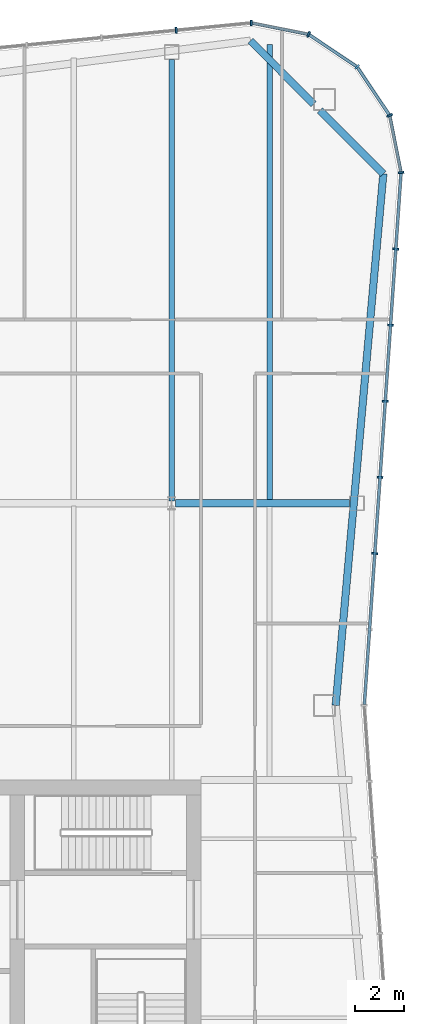
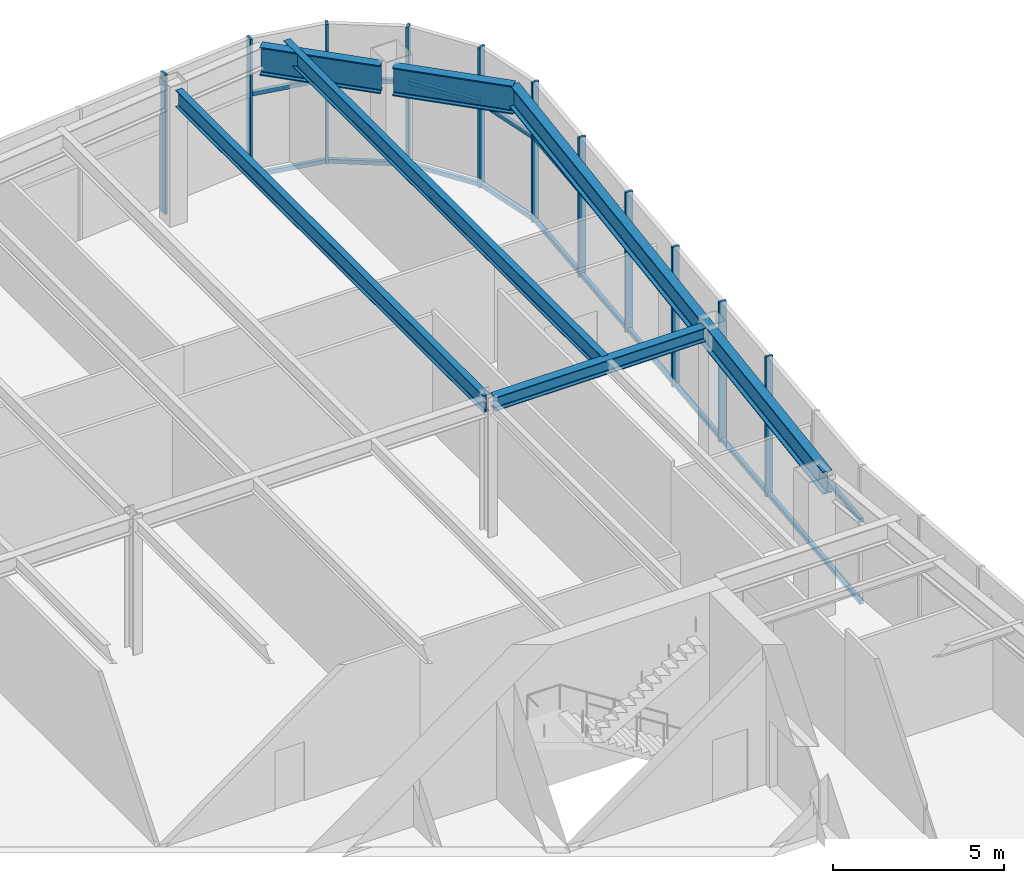
# One storey, part 7 of 13: 21 members, 6 beams, 3 elements without a shape of their own.
"""IFC4 building model written with IfcOpenShell, lengths in metres."""

from ifc_helpers import new_model, si_unit, direction, frame, origin, origin_2d, place, context, subcontext, project, spatial, rectangle, i_section, extrude, material, material_profile, profile_set, type_object, element, aggregate, save


model = new_model("IFC4")

# Units and contexts
model_context = context("Model", 3, precision=1e-05, world=origin(), true_north=direction((0.0, 1.0)))
body_context = subcontext(model_context, "Body", "Model", "MODEL_VIEW")
ifc_project = project(units=[si_unit("LENGTHUNIT", "METRE"), si_unit("AREAUNIT", "SQUARE_METRE"), si_unit("VOLUMEUNIT", "CUBIC_METRE"), si_unit("PLANEANGLEUNIT", "RADIAN"), si_unit("MASSUNIT", "GRAM", prefix="KILO")], contexts=[model_context])

# Site, building, storey
site_placement = place(None, origin())
site = spatial("IfcSite", under=ifc_project, at=site_placement, CompositionType="ELEMENT")
building_placement = place(site_placement, origin())
building = spatial("IfcBuilding", under=site, at=building_placement, Name="Verdant Reach Tower", CompositionType="ELEMENT")
storey_placement = place(building_placement, frame((0.0, 0.0, 349.5)))
storey = spatial("IfcBuildingStorey", under=building, at=storey_placement, Name="L79 Plant", CompositionType="ELEMENT", Elevation=349.5)

# Curtain wall, members
ifc_material_1 = material(Name="Anodised aluminium", Category="aluminium")
curtain_wall_type = type_object("IfcCurtainWallType", Name="EN-CW SYSTEM PLANT", PredefinedType="NOTDEFINED", material=ifc_material_1)
curtain_wall_1_placement = place(storey_placement, origin())
curtain_wall_1 = element("IfcCurtainWall", 1, at=curtain_wall_1_placement, inside=storey, type_object=curtain_wall_type, Name="Curtain wall east, L79", PredefinedType="NOTDEFINED")
ifc_material_profile_1 = material_profile(ifc_material_1, rectangle(XDim=0.238037109375, YDim=0.080078125, at=origin_2d()), Name="Mullion 80x240")
ifc_profile_set_1 = profile_set([ifc_material_profile_1], Name="Anodised aluminium")
member_type_1 = type_object("IfcMemberType", Name="EN-MULLION PLANT", PredefinedType="MULLION", material=ifc_profile_set_1)
member_1_placement = place(storey_placement, frame((20.29736328125, 47.4560546875, -0.35009765625), z_axis=(0.0, 0.0, 1.0), x_axis=(0.997630328423, -0.068802091615, 0.0)))
member_1 = element("IfcMember", 2, at=member_1_placement, type_object=member_type_1, Name="Mullion east face part 2 3, L79", PredefinedType="MULLION", context=body_context, shape_type="SweptSolid", body=[
    extrude(rectangle(XDim=0.238037109375, YDim=0.080078125, at=origin_2d()), origin(), (0.0, 0.0, 1.0), 5.0),
])
member_2_placement = place(storey_placement, frame((20.511474609375, 50.563232421875, -0.35009765625), z_axis=(0.0, 0.0, 1.0), x_axis=(0.997630328423, -0.068802091615, 0.0)))
member_2 = element("IfcMember", 3, at=member_2_placement, type_object=member_type_1, Name="Mullion east face part 2 4, L79", PredefinedType="MULLION", context=body_context, shape_type="SweptSolid", body=[
    extrude(rectangle(XDim=0.238037109375, YDim=0.080078125, at=origin_2d()), origin(), (0.0, 0.0, 1.0), 5.0),
])
member_3_placement = place(storey_placement, frame((20.725830078125, 53.67041015625, -0.35009765625), z_axis=(0.0, 0.0, 1.0), x_axis=(0.997630328423, -0.068802091615, 0.0)))
member_3 = element("IfcMember", 4, at=member_3_placement, type_object=member_type_1, Name="Mullion east face part 2 5, L79", PredefinedType="MULLION", context=body_context, shape_type="SweptSolid", body=[
    extrude(rectangle(XDim=0.238037109375, YDim=0.080078125, at=origin_2d()), origin(), (0.0, 0.0, 1.0), 5.0),
])
member_4_placement = place(storey_placement, frame((20.940185546875, 56.777587890625, -0.35009765625), z_axis=(0.0, 0.0, 1.0), x_axis=(0.997630328423, -0.068802091615, 0.0)))
member_4 = element("IfcMember", 5, at=member_4_placement, type_object=member_type_1, Name="Mullion east face part 2 6, L79", PredefinedType="MULLION", context=body_context, shape_type="SweptSolid", body=[
    extrude(rectangle(XDim=0.238037109375, YDim=0.080078125, at=origin_2d()), origin(), (0.0, 0.0, 1.0), 5.0),
])
member_5_placement = place(storey_placement, frame((21.154541015625, 59.884765625, -0.35009765625), z_axis=(0.0, 0.0, 1.0), x_axis=(0.997630328423, -0.068802091615, 0.0)))
member_5 = element("IfcMember", 6, at=member_5_placement, type_object=member_type_1, Name="Mullion east face part 2 7, L79", PredefinedType="MULLION", context=body_context, shape_type="SweptSolid", body=[
    extrude(rectangle(XDim=0.238037109375, YDim=0.080078125, at=origin_2d()), origin(), (0.0, 0.0, 1.0), 5.0),
])

curtain_wall_2_placement = place(storey_placement, origin())
curtain_wall_2 = element("IfcCurtainWall", 7, at=curtain_wall_2_placement, inside=storey, type_object=curtain_wall_type, Name="Curtain wall north-east corner, L79", PredefinedType="NOTDEFINED")
member_6_placement = place(storey_placement, frame((21.36865234375, 63.007568359375, -0.35009765625), z_axis=(0.0, 0.0, 1.0), x_axis=(0.997969180898, 0.063698618332, 0.0)))
member_6 = element("IfcMember", 8, at=member_6_placement, type_object=member_type_1, Name="Mullion north-east corner 1, L79", PredefinedType="MULLION", context=body_context, shape_type="SweptSolid", body=[
    extrude(rectangle(XDim=0.238037109375, YDim=0.080078125, at=origin_2d()), origin(), (0.0, 0.0, 1.0), 5.0),
])
member_7_placement = place(storey_placement, frame((20.9033203125, 65.341552734375, -0.35009765625), z_axis=(0.0, 0.0, 1.0), x_axis=(0.923875215753, 0.382693853776, 0.0)))
member_7 = element("IfcMember", 9, at=member_7_placement, type_object=member_type_1, Name="Mullion north-east corner 2, L79", PredefinedType="MULLION", context=body_context, shape_type="SweptSolid", body=[
    extrude(rectangle(XDim=0.238037109375, YDim=0.080078125, at=origin_2d()), origin(), (0.0, 0.0, 1.0), 5.0),
])
member_8_placement = place(storey_placement, frame((19.57666015625, 67.32666015625, -0.35009765625), z_axis=(0.0, 0.0, 1.0), x_axis=(0.707106781187, 0.707106781187, 0.0)))
member_8 = element("IfcMember", 10, at=member_8_placement, type_object=member_type_1, Name="Mullion north-east corner 3, L79", PredefinedType="MULLION", context=body_context, shape_type="SweptSolid", body=[
    extrude(rectangle(XDim=0.238037109375, YDim=0.080078125, at=origin_2d()), origin(), (0.0, 0.0, 1.0), 5.0),
])
member_9_placement = place(storey_placement, frame((17.591552734375, 68.6533203125, -0.35009765625), z_axis=(0.0, 0.0, 1.0), x_axis=(0.382693853776, 0.923875215753, 0.0)))
member_9 = element("IfcMember", 11, at=member_9_placement, type_object=member_type_1, Name="Mullion north-east corner 4, L79", PredefinedType="MULLION", context=body_context, shape_type="SweptSolid", body=[
    extrude(rectangle(XDim=0.238037109375, YDim=0.080078125, at=origin_2d()), origin(), (0.0, 0.0, 1.0), 5.0),
])

curtain_wall_3_placement = place(storey_placement, origin())
curtain_wall_3 = element("IfcCurtainWall", 12, at=curtain_wall_3_placement, inside=storey, type_object=curtain_wall_type, Name="Curtain wall north, L79", PredefinedType="NOTDEFINED")
member_10_placement = place(storey_placement, frame((15.255859375, 69.118896484375, -0.35009765625), z_axis=(0.0, 0.0, 1.0), x_axis=(0.049127596288, 0.998792510626, 0.0)))
member_10 = element("IfcMember", 13, at=member_10_placement, type_object=member_type_1, Name="Mullion north face part 1 1, L79", PredefinedType="MULLION", context=body_context, shape_type="SweptSolid", body=[
    extrude(rectangle(XDim=0.238037109375, YDim=0.080078125, at=origin_2d()), origin(), (0.0, 0.0, 1.0), 5.0),
])
member_11_placement = place(storey_placement, frame((12.188232421875, 68.818359375, -0.35009765625), z_axis=(0.0, 0.0, 1.0), x_axis=(-0.09788826992, 0.995197410875, 0.0)))
member_11 = element("IfcMember", 14, at=member_11_placement, type_object=member_type_1, Name="Mullion north face part 1 2, L79", PredefinedType="MULLION", context=body_context, shape_type="SweptSolid", body=[
    extrude(rectangle(XDim=0.238037109375, YDim=0.080078125, at=origin_2d()), origin(), (0.0, 0.0, 1.0), 5.0),
])
aggregate(curtain_wall_3, [member_10, member_11])

# Member
ifc_material_profile_2 = material_profile(ifc_material_1, rectangle(XDim=0.1201171875, YDim=0.14990234375, at=origin_2d()), Name="Transom 150x120")
ifc_profile_set_2 = profile_set([ifc_material_profile_2], Name="Anodised aluminium")
member_type_2 = type_object("IfcMemberType", Name="EN-TRANSOM PLANT", PredefinedType="USERDEFINED", material=ifc_profile_set_2)
member_12_placement = place(storey_placement, frame((19.871826171875, 41.289794921875, -0.27490234375), z_axis=(0.068761218296, 0.997633146431, 0.0), x_axis=(-0.997633146431, 0.068761218296, 0.0)))
member_12 = element("IfcMember", 15, at=member_12_placement, type_object=member_type_2, Name="Transom east face part 2 1.1, L79", ObjectType="TRANSOM", PredefinedType="USERDEFINED", context=body_context, shape_type="SweptSolid", body=[
    extrude(rectangle(XDim=0.1201171875, YDim=0.14990234375, at=origin_2d()), origin(), (0.0, 0.0, 1.0), 21.7294921875),
])

member_13_placement = place(storey_placement, frame((19.871826171875, 41.289794921875, 2.64990234375), z_axis=(0.068761218296, 0.997633146431, 0.0), x_axis=(-0.997633146431, 0.068761218296, 0.0)))
member_13 = element("IfcMember", 16, at=member_13_placement, type_object=member_type_2, Name="Transom east face part 2 1.2, L79", ObjectType="TRANSOM", PredefinedType="USERDEFINED", context=body_context, shape_type="SweptSolid", body=[
    extrude(rectangle(XDim=0.1201171875, YDim=0.14990234375, at=origin_2d()), origin(), (0.0, 0.0, 1.0), 21.7294921875),
])

aggregate(curtain_wall_1, [member_1, member_2, member_3, member_4, member_5, member_12, member_13])

member_14_placement = place(storey_placement, frame((21.36083984375, 63.046875, -0.27490234375), z_axis=(-0.195524121666, 0.980698892549, 0.0), x_axis=(-0.980698892549, -0.195524121666, 0.0)))
member_14 = element("IfcMember", 17, at=member_14_placement, type_object=member_type_2, Name="Transom north-east corner 1.1, L79", ObjectType="TRANSOM", PredefinedType="USERDEFINED", context=body_context, shape_type="SweptSolid", body=[
    extrude(rectangle(XDim=0.1201171875, YDim=0.14990234375, at=origin_2d()), origin(), (0.0, 0.0, 1.0), 2.300048828125),
])

member_15_placement = place(storey_placement, frame((20.881103515625, 65.375, -0.27490234375), z_axis=(-0.5556764556, 0.831398626828, 0.0), x_axis=(-0.831398626828, -0.5556764556, 0.0)))
member_15 = element("IfcMember", 18, at=member_15_placement, type_object=member_type_2, Name="Transom north-east corner 2.1, L79", ObjectType="TRANSOM", PredefinedType="USERDEFINED", context=body_context, shape_type="SweptSolid", body=[
    extrude(rectangle(XDim=0.1201171875, YDim=0.14990234375, at=origin_2d()), origin(), (0.0, 0.0, 1.0), 2.3076171875),
])

member_16_placement = place(storey_placement, frame((19.54345703125, 67.348876953125, -0.27490234375), z_axis=(-0.831398626828, 0.5556764556, 0.0), x_axis=(-0.5556764556, -0.831398626828, 0.0)))
member_16 = element("IfcMember", 19, at=member_16_placement, type_object=member_type_2, Name="Transom north-east corner 3.1, L79", ObjectType="TRANSOM", PredefinedType="USERDEFINED", context=body_context, shape_type="SweptSolid", body=[
    extrude(rectangle(XDim=0.1201171875, YDim=0.14990234375, at=origin_2d()), origin(), (0.0, 0.0, 1.0), 2.3076171875),
])

member_17_placement = place(storey_placement, frame((17.552490234375, 68.6611328125, -0.27490234375), z_axis=(-0.980706937788, 0.195483764476, 0.0), x_axis=(-0.195483764476, -0.980706937788, 0.0)))
member_17 = element("IfcMember", 20, at=member_17_placement, type_object=member_type_2, Name="Transom north-east corner 4.1, L79", ObjectType="TRANSOM", PredefinedType="USERDEFINED", context=body_context, shape_type="SweptSolid", body=[
    extrude(rectangle(XDim=0.1201171875, YDim=0.14990234375, at=origin_2d()), origin(), (0.0, 0.0, 1.0), 2.3017578125),
])

member_18_placement = place(storey_placement, frame((21.36083984375, 63.046875, 2.64990234375), z_axis=(-0.195524121666, 0.980698892549, 0.0), x_axis=(-0.980698892549, -0.195524121666, 0.0)))
member_18 = element("IfcMember", 21, at=member_18_placement, type_object=member_type_2, Name="Transom north-east corner 1.2, L79", ObjectType="TRANSOM", PredefinedType="USERDEFINED", context=body_context, shape_type="SweptSolid", body=[
    extrude(rectangle(XDim=0.1201171875, YDim=0.14990234375, at=origin_2d()), origin(), (0.0, 0.0, 1.0), 2.300048828125),
])

member_19_placement = place(storey_placement, frame((20.881103515625, 65.375, 2.64990234375), z_axis=(-0.5556764556, 0.831398626828, 0.0), x_axis=(-0.831398626828, -0.5556764556, 0.0)))
member_19 = element("IfcMember", 22, at=member_19_placement, type_object=member_type_2, Name="Transom north-east corner 2.2, L79", ObjectType="TRANSOM", PredefinedType="USERDEFINED", context=body_context, shape_type="SweptSolid", body=[
    extrude(rectangle(XDim=0.1201171875, YDim=0.14990234375, at=origin_2d()), origin(), (0.0, 0.0, 1.0), 2.3076171875),
])

member_20_placement = place(storey_placement, frame((19.54345703125, 67.348876953125, 2.64990234375), z_axis=(-0.831398626828, 0.5556764556, 0.0), x_axis=(-0.5556764556, -0.831398626828, 0.0)))
member_20 = element("IfcMember", 23, at=member_20_placement, type_object=member_type_2, Name="Transom north-east corner 3.2, L79", ObjectType="TRANSOM", PredefinedType="USERDEFINED", context=body_context, shape_type="SweptSolid", body=[
    extrude(rectangle(XDim=0.1201171875, YDim=0.14990234375, at=origin_2d()), origin(), (0.0, 0.0, 1.0), 2.3076171875),
])

member_21_placement = place(storey_placement, frame((17.552490234375, 68.6611328125, 2.64990234375), z_axis=(-0.980706937788, 0.195483764476, 0.0), x_axis=(-0.195483764476, -0.980706937788, 0.0)))
member_21 = element("IfcMember", 24, at=member_21_placement, type_object=member_type_2, Name="Transom north-east corner 4.2, L79", ObjectType="TRANSOM", PredefinedType="USERDEFINED", context=body_context, shape_type="SweptSolid", body=[
    extrude(rectangle(XDim=0.1201171875, YDim=0.14990234375, at=origin_2d()), origin(), (0.0, 0.0, 1.0), 2.3017578125),
])

aggregate(curtain_wall_2, [member_6, member_7, member_8, member_9, member_14, member_15, member_16, member_17, member_18, member_19, member_20, member_21])

# Beams
ifc_material_2 = material(Name="Steel S355", Category="steel")
ifc_material_profile_3 = material_profile(ifc_material_2, i_section(OverallWidth=0.300048828125, OverallDepth=0.489990234375, WebThickness=0.011962890625, FlangeThickness=0.02294921875, FilletRadius=0.027099609375, at=origin_2d()), Name="HEA 500")
ifc_profile_set_3 = profile_set([ifc_material_profile_3], Name="Steel S355")
beam_type_1 = type_object("IfcBeamType", Name="ST-BEAM-HEA500", PredefinedType="BEAM", material=ifc_profile_set_3)
beam_1_placement = place(storey_placement, frame((12.153076171875, 49.5, 4.60498046875), z_axis=(1.0, 0.0, 0.0), x_axis=(0.0, 1.0, 0.0)))
element("IfcBeam", 25, at=beam_1_placement, inside=storey, type_object=beam_type_1, Name="Row girder, L79 Plant", PredefinedType="BEAM", context=body_context, shape_type="SweptSolid", body=[
    extrude(i_section(OverallWidth=0.300048828125, OverallDepth=0.489990234375, WebThickness=0.011962890625, FlangeThickness=0.02294921875, FilletRadius=0.027099609375, at=origin_2d()), origin(), (0.0, 0.0, 1.0), 7.115966796875),
])
ifc_material_profile_4 = material_profile(ifc_material_2, i_section(OverallWidth=0.219970703125, OverallDepth=0.60009765625, WebThickness=0.011962890625, FlangeThickness=0.01904296875, FilletRadius=0.02392578125, at=origin_2d()), Name="IPE 600")
ifc_profile_set_4 = profile_set([ifc_material_profile_4], Name="Steel S355")
beam_type_2 = type_object("IfcBeamType", Name="ST-JOIST-IPE600", PredefinedType="JOIST", material=ifc_profile_set_4)
beam_2_placement = place(storey_placement, frame((12.0, 49.60009765625, 4.550048828125), z_axis=(0.0, 1.0, 0.0), x_axis=(-1.0, 0.0, 0.0)))
element("IfcBeam", 26, at=beam_2_placement, inside=storey, type_object=beam_type_2, Name="Floor joist, L79 Plant", PredefinedType="JOIST", context=body_context, shape_type="SweptSolid", body=[
    extrude(i_section(OverallWidth=0.219970703125, OverallDepth=0.60009765625, WebThickness=0.011962890625, FlangeThickness=0.01904296875, FilletRadius=0.02392578125, at=origin_2d()), origin(), (0.0, 0.0, 1.0), 18.0302734375),
])
beam_3_placement = place(storey_placement, frame((16.0, 49.60009765625, 4.550048828125), z_axis=(0.0, 1.0, 0.0), x_axis=(-1.0, 0.0, 0.0)))
element("IfcBeam", 27, at=beam_3_placement, inside=storey, type_object=beam_type_2, Name="Floor joist, L79 Plant", PredefinedType="JOIST", context=body_context, shape_type="SweptSolid", body=[
    extrude(i_section(OverallWidth=0.219970703125, OverallDepth=0.60009765625, WebThickness=0.011962890625, FlangeThickness=0.01904296875, FilletRadius=0.02392578125, at=origin_2d()), origin(), (0.0, 0.0, 1.0), 18.638916015625),
])
ifc_material_profile_5 = material_profile(ifc_material_2, i_section(OverallWidth=0.300048828125, OverallDepth=0.800048828125, WebThickness=0.017578125, FlangeThickness=0.032958984375, FilletRadius=0.030029296875, at=origin_2d()), Name="HEB 800")
ifc_profile_set_5 = profile_set([ifc_material_profile_5], Name="Steel S355")
beam_type_3 = type_object("IfcBeamType", Name="ST-SPANDREL-HEB800", PredefinedType="SPANDREL", material=ifc_profile_set_5)
beam_4_placement = place(storey_placement, frame((20.64599609375, 62.96142578125, 4.449951171875), z_axis=(-0.089274399498, -0.996007069048, 0.0), x_axis=(0.996007069048, -0.089274399498, 0.0)))
element("IfcBeam", 28, at=beam_4_placement, inside=storey, type_object=beam_type_3, Name="Edge beam, L79 Plant", PredefinedType="SPANDREL", context=body_context, shape_type="SweptSolid", body=[
    extrude(i_section(OverallWidth=0.300048828125, OverallDepth=0.800048828125, WebThickness=0.017578125, FlangeThickness=0.032958984375, FilletRadius=0.030029296875, at=origin_2d()), origin(), (0.0, 0.0, 1.0), 21.798583984375),
])
ifc_material_profile_6 = material_profile(ifc_material_2, i_section(OverallWidth=0.302001953125, OverallDepth=1.008056640625, WebThickness=0.02099609375, FlangeThickness=0.0400390625, FilletRadius=0.030029296875, at=origin_2d()), Name="HEM 1000")
ifc_profile_set_6 = profile_set([ifc_material_profile_6], Name="Steel S355")
beam_type_4 = type_object("IfcBeamType", Name="ST-SPANDREL-HEM1000", PredefinedType="SPANDREL", material=ifc_profile_set_6)
beam_5_placement = place(storey_placement, frame((15.22021484375, 68.394287109375, 4.345947265625), z_axis=(0.706638520854, -0.707574731632, 0.0), x_axis=(0.707574731632, 0.706638520854, 0.0)))
element("IfcBeam", 29, at=beam_5_placement, inside=storey, type_object=beam_type_4, Name="Edge beam, L79 Plant", PredefinedType="SPANDREL", context=body_context, shape_type="SweptSolid", body=[
    extrude(i_section(OverallWidth=0.302001953125, OverallDepth=1.008056640625, WebThickness=0.02099609375, FlangeThickness=0.0400390625, FilletRadius=0.030029296875, at=origin_2d()), origin(), (0.0, 0.0, 1.0), 3.65087890625),
])
beam_6_placement = place(storey_placement, frame((18.060791015625, 65.550048828125, 4.345947265625), z_axis=(0.706639493403, -0.707573760369, 0.0), x_axis=(0.707573760369, 0.706639493403, 0.0)))
element("IfcBeam", 30, at=beam_6_placement, inside=storey, type_object=beam_type_4, Name="Edge beam, L79 Plant", PredefinedType="SPANDREL", context=body_context, shape_type="SweptSolid", body=[
    extrude(i_section(OverallWidth=0.302001953125, OverallDepth=1.008056640625, WebThickness=0.02099609375, FlangeThickness=0.0400390625, FilletRadius=0.030029296875, at=origin_2d()), origin(), (0.0, 0.0, 1.0), 3.658447265625),
])

save(model, "model.ifc")
